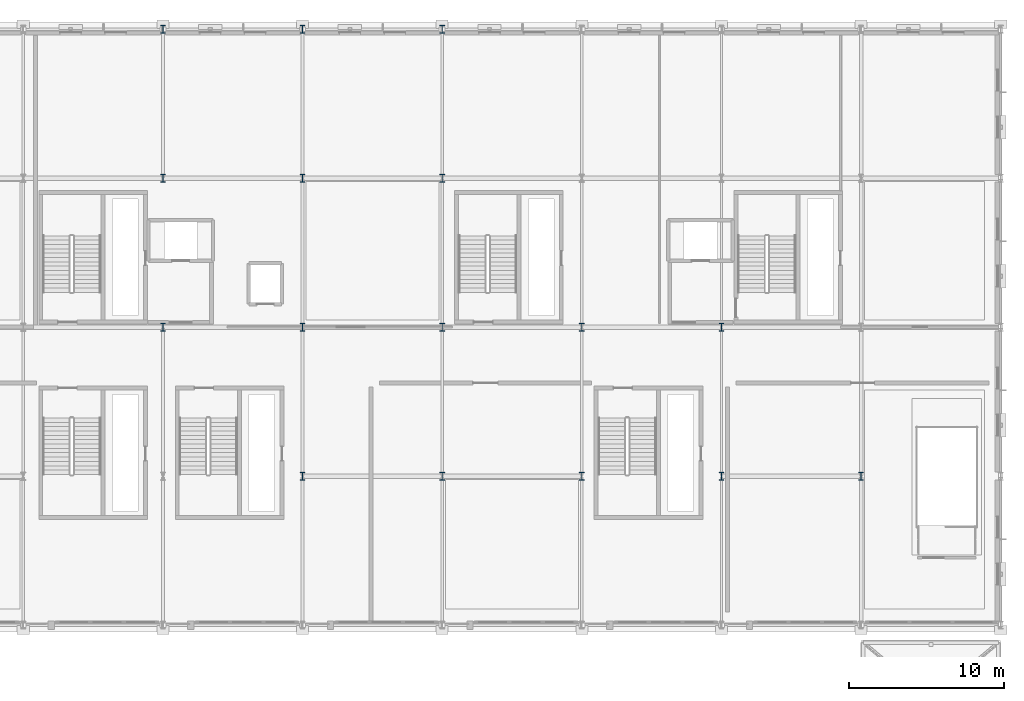
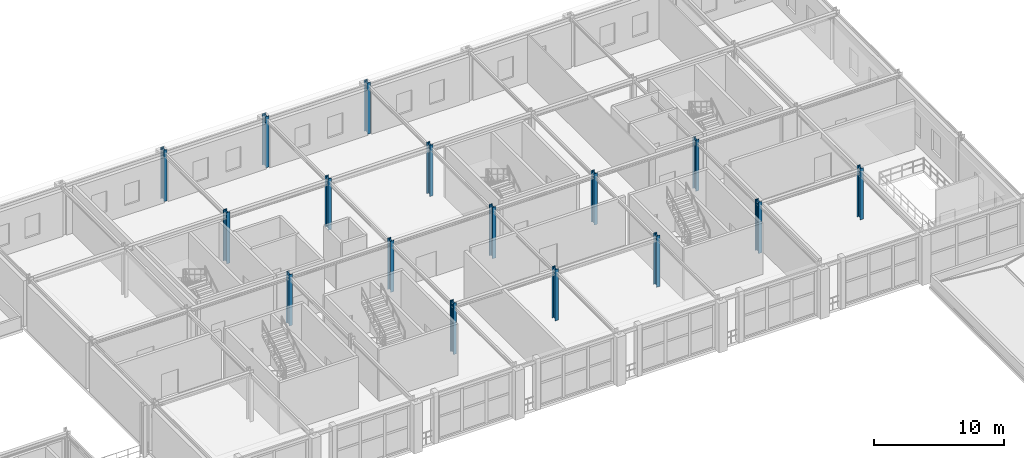
# One storey, part 21 of 125: 16 columns.
"""IFC4 building model written with IfcOpenShell, lengths in metres."""

from ifc_helpers import new_model, si_unit, direction, frame, origin, origin_2d, place, context, subcontext, project, spatial, i_section, extrude, material, material_profile, profile_set, type_object, element, save


model = new_model("IFC4")

# Units and contexts
model_context = context("Model", 3, precision=1e-05, world=origin(), true_north=direction((0.0, 1.0)))
body_context = subcontext(model_context, "Body", "Model", "MODEL_VIEW")
ifc_project = project(units=[si_unit("LENGTHUNIT", "METRE"), si_unit("AREAUNIT", "SQUARE_METRE"), si_unit("VOLUMEUNIT", "CUBIC_METRE"), si_unit("PLANEANGLEUNIT", "RADIAN"), si_unit("MASSUNIT", "GRAM", prefix="KILO")], contexts=[model_context])

# Site, building, storey
site_placement = place(None, origin())
site = spatial("IfcSite", under=ifc_project, at=site_placement, CompositionType="ELEMENT")
building_placement = place(site_placement, origin())
building = spatial("IfcBuilding", under=site, at=building_placement, Name="Myrtia Square Station", CompositionType="ELEMENT")
storey_placement = place(building_placement, frame((0.0, 0.0, 6.0)))
storey = spatial("IfcBuildingStorey", under=building, at=storey_placement, Name="L01", CompositionType="ELEMENT", Elevation=6.0)

# Columns
ifc_material = material(Name="Steel S355", Category="steel")
ifc_material_profile = material_profile(ifc_material, i_section(OverallWidth=0.300048828125, OverallDepth=0.5, WebThickness=0.014404296875, FlangeThickness=0.028076171875, FilletRadius=0.027099609375, at=origin_2d()), Name="HEB 500")
ifc_profile_set = profile_set([ifc_material_profile], Name="Steel S355")
column_type = type_object("IfcColumnType", Name="COL-HEB500", PredefinedType="COLUMN", material=ifc_profile_set)
for number, where, z_axis, x_axis, name in (
    (1, (135.0, 105.60009765625, 0.0), (0.0, 0.0, 1.0), (1.0, 0.0, 0.0), "Column L01-0823"),
    (2, (135.0, 115.199951171875, 0.0), (0.0, 0.0, 1.0), (1.0, 0.0, 0.0), "Column L01-0829"),
    (3, (135.0, 124.800048828125, 0.0), (0.0, 0.0, 1.0), (1.0, 0.0, 0.0), "Column L01-0835"),
    (4, (144.0, 96.0, 0.0), (0.0, 0.0, 1.0), (1.0, 0.0, 0.0), "Column L01-0847"),
    (5, (144.0, 105.60009765625, 0.0), (0.0, 0.0, 1.0), (1.0, 0.0, 0.0), "Column L01-0853"),
    (6, (144.0, 115.199951171875, 0.0), (0.0, 0.0, 1.0), (1.0, 0.0, 0.0), "Column L01-0859"),
    (7, (144.0, 124.800048828125, 0.0), (0.0, 0.0, 1.0), (1.0, 0.0, 0.0), "Column L01-0865"),
    (8, (153.0, 96.0, 0.0), (0.0, 0.0, 1.0), (1.0, 0.0, 0.0), "Column L01-0876"),
    (9, (153.0, 105.60009765625, 0.0), (0.0, 0.0, 1.0), (1.0, 0.0, 0.0), "Column L01-0882"),
    (10, (153.0, 115.199951171875, 0.0), (0.0, 0.0, 1.0), (1.0, 0.0, 0.0), "Column L01-0888"),
    (11, (153.0, 124.800048828125, 0.0), (0.0, 0.0, 1.0), (1.0, 0.0, 0.0), "Column L01-0894"),
    (12, (162.0, 96.0, 0.0), (0.0, 0.0, 1.0), (1.0, 0.0, 0.0), "Column L01-0906"),
    (13, (162.0, 105.60009765625, 0.0), (0.0, 0.0, 1.0), (1.0, 0.0, 0.0), "Column L01-0912"),
    (14, (171.0, 96.0, 0.0), (0.0, 0.0, 1.0), (1.0, 0.0, 0.0), "Column L01-0936"),
    (15, (171.0, 105.60009765625, 0.0), (0.0, 0.0, 1.0), (1.0, 0.0, 0.0), "Column L01-0942"),
    (16, (180.0, 96.0, 0.0), (0.0, 0.0, 1.0), (1.0, 0.0, 0.0), "Column L01-0966"),
):
    element("IfcColumn", number, at=place(storey_placement, frame(where, z_axis=z_axis, x_axis=x_axis)), inside=storey, type_object=column_type, Name=name, PredefinedType="COLUMN", context=body_context, shape_type="SweptSolid", body=[
        extrude(i_section(OverallWidth=0.300048828125, OverallDepth=0.5, WebThickness=0.014404296875, FlangeThickness=0.028076171875, FilletRadius=0.027099609375, at=origin_2d()), origin(), (0.0, 0.0, 1.0), 4.800048828125),
    ])

save(model, "model.ifc")
